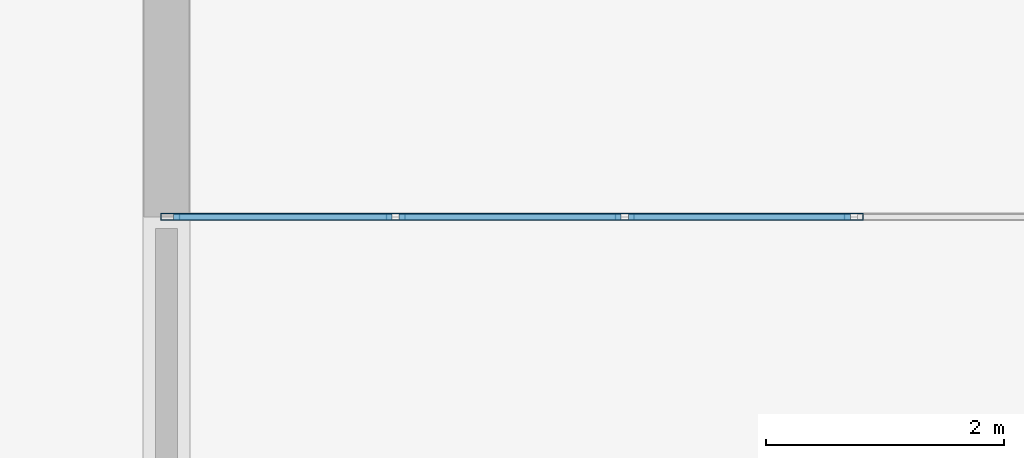
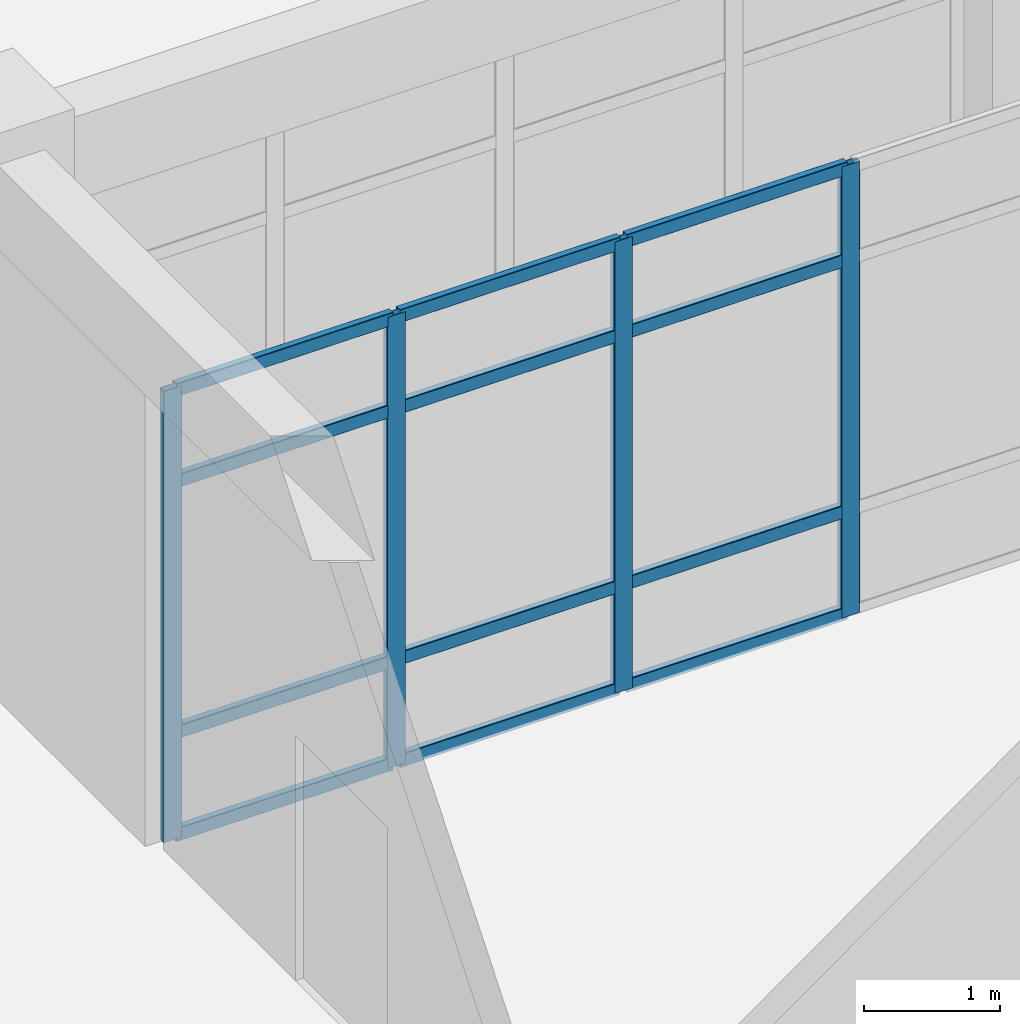
# One storey, part 36 of 120: 16 members, 1 element without a shape of its own.
"""IFC4 building model written with IfcOpenShell, lengths in metres."""

from ifc_helpers import new_model, si_unit, derived_unit, direction, frame, origin, origin_2d, place, context, subcontext, project, spatial, hollow_rectangle, extrude, material, layer, layer_set, material_profile, profile_set, type_object, element, aggregate, save


model = new_model("IFC4")

# Units and contexts
model_context = context("Model", 3, precision=1e-05, world=origin(), true_north=direction((0.0, 1.0)))
body_context = subcontext(model_context, "Body", "Model", "MODEL_VIEW")
ifc_project = project(units=[si_unit("LENGTHUNIT", "METRE"), si_unit("AREAUNIT", "SQUARE_METRE"), si_unit("VOLUMEUNIT", "CUBIC_METRE"), si_unit("PLANEANGLEUNIT", "RADIAN"), si_unit("MASSUNIT", "GRAM", prefix="KILO"), derived_unit("THERMALTRANSMITTANCEUNIT", [(si_unit("MASSUNIT", "GRAM", prefix="KILO"), 1), (si_unit("TIMEUNIT", "SECOND"), -3), (si_unit("THERMODYNAMICTEMPERATUREUNIT", "KELVIN"), -1)])], contexts=[model_context])

# Site, building, storey
site_placement = place(None, origin())
site = spatial("IfcSite", under=ifc_project, at=site_placement, CompositionType="ELEMENT")
building_placement = place(site_placement, origin())
building = spatial("IfcBuilding", under=site, at=building_placement, Name="Qinzheling Arcade Emporium", CompositionType="ELEMENT")
storey_placement = place(building_placement, frame((0.0, 0.0, 11.39990234375)))
storey = spatial("IfcBuildingStorey", under=building, at=storey_placement, Name="L03", CompositionType="ELEMENT", Elevation=11.39990234375)

# Curtain wall, members
ifc_material_1 = material(Name="Anodised aluminium and solar-control double glazing", Category="aluminium")
ifc_layer = layer(ifc_material_1, 0.159912109375, Name="Anodised aluminium and solar-control double glazing", Category="aluminium")
ifc_layer_set = layer_set([ifc_layer], Name="Anodised aluminium and solar-control double glazing")
curtain_wall_type = type_object("IfcCurtainWallType", Name="Food Hall Loggia Curtain Wall", PredefinedType="NOTDEFINED", material=ifc_layer_set)
curtain_wall_placement = place(storey_placement, origin())
curtain_wall = element("IfcCurtainWall", 1, at=curtain_wall_placement, inside=storey, type_object=curtain_wall_type, Name="Curtain Wall CW-L03-205", PredefinedType="NOTDEFINED")
ifc_material_2 = material(Name="Anodised aluminium 6063-T6", Category="aluminium")
ifc_material_profile_1 = material_profile(ifc_material_2, hollow_rectangle(XDim=0.06005859375, YDim=0.159912109375, WallThickness=0.00390625, InnerFilletRadius=0.00390625, OuterFilletRadius=0.008056640625, at=origin_2d()), Name="RHS 160x60x4", Category="aluminium")
ifc_profile_set_1 = profile_set([ifc_material_profile_1], Name="Anodised aluminium 6063-T6")
member_type_1 = type_object("IfcMemberType", Name="Curtain Wall Mullion RHS160x60", PredefinedType="MULLION", material=ifc_profile_set_1)
member_1_placement = place(storey_placement, frame((121.830078125, 31.0, 0.0), z_axis=(0.0, 0.0, 1.0), x_axis=(0.0, 1.0, 0.0)))
member_1 = element("IfcMember", 2, at=member_1_placement, type_object=member_type_1, Name="CW04 mullion 1", PredefinedType="MULLION", context=body_context, shape_type="SweptSolid", body=[
    extrude(hollow_rectangle(XDim=0.06005859375, YDim=0.159912109375, WallThickness=0.00390625, InnerFilletRadius=0.00390625, OuterFilletRadius=0.008056640625, at=origin_2d()), origin(), (0.0, 0.0, 1.0), 4.05517578125),
])
member_2_placement = place(storey_placement, frame((123.7294921875, 31.0, 0.0), z_axis=(0.0, 0.0, 1.0), x_axis=(0.0, 1.0, 0.0)))
member_2 = element("IfcMember", 3, at=member_2_placement, type_object=member_type_1, Name="CW04 mullion 2", PredefinedType="MULLION", context=body_context, shape_type="SweptSolid", body=[
    extrude(hollow_rectangle(XDim=0.06005859375, YDim=0.159912109375, WallThickness=0.00390625, InnerFilletRadius=0.00390625, OuterFilletRadius=0.008056640625, at=origin_2d()), origin(), (0.0, 0.0, 1.0), 4.05517578125),
])
member_3_placement = place(storey_placement, frame((125.658935546875, 31.0, 0.0), z_axis=(0.0, 0.0, 1.0), x_axis=(0.0, 1.0, 0.0)))
member_3 = element("IfcMember", 4, at=member_3_placement, type_object=member_type_1, Name="CW04 mullion 3", PredefinedType="MULLION", context=body_context, shape_type="SweptSolid", body=[
    extrude(hollow_rectangle(XDim=0.06005859375, YDim=0.159912109375, WallThickness=0.00390625, InnerFilletRadius=0.00390625, OuterFilletRadius=0.008056640625, at=origin_2d()), origin(), (0.0, 0.0, 1.0), 4.05517578125),
])
member_4_placement = place(storey_placement, frame((127.58837890625, 31.0, 0.0), z_axis=(0.0, 0.0, 1.0), x_axis=(0.0, 1.0, 0.0)))
member_4 = element("IfcMember", 5, at=member_4_placement, type_object=member_type_1, Name="CW04 mullion 4", PredefinedType="MULLION", context=body_context, shape_type="SweptSolid", body=[
    extrude(hollow_rectangle(XDim=0.06005859375, YDim=0.159912109375, WallThickness=0.00390625, InnerFilletRadius=0.00390625, OuterFilletRadius=0.008056640625, at=origin_2d()), origin(), (0.0, 0.0, 1.0), 4.05517578125),
])
ifc_material_profile_2 = material_profile(ifc_material_2, hollow_rectangle(XDim=0.06005859375, YDim=0.1201171875, WallThickness=0.00390625, InnerFilletRadius=0.00390625, OuterFilletRadius=0.008056640625, at=origin_2d()), Name="RHS 120x60x4", Category="aluminium")
ifc_profile_set_2 = profile_set([ifc_material_profile_2], Name="Anodised aluminium 6063-T6")
member_type_2 = type_object("IfcMemberType", Name="Curtain Wall Transom RHS120x60", PredefinedType="USERDEFINED", material=ifc_profile_set_2)
member_5_placement = place(storey_placement, frame((121.860107421875, 31.0, 0.030029296875), z_axis=(1.0, 0.0, 0.0), x_axis=(0.0, 1.0, 0.0)))
member_5 = element("IfcMember", 6, at=member_5_placement, type_object=member_type_2, Name="CW04 transom 1.1", ObjectType="TRANSOM", PredefinedType="USERDEFINED", context=body_context, shape_type="SweptSolid", body=[
    extrude(hollow_rectangle(XDim=0.06005859375, YDim=0.1201171875, WallThickness=0.00390625, InnerFilletRadius=0.00390625, OuterFilletRadius=0.008056640625, at=origin_2d()), origin(), (0.0, 0.0, 1.0), 1.83935546875),
])
member_6_placement = place(storey_placement, frame((121.860107421875, 31.0, 0.9501953125), z_axis=(1.0, 0.0, 0.0), x_axis=(0.0, 1.0, 0.0)))
member_6 = element("IfcMember", 7, at=member_6_placement, type_object=member_type_2, Name="CW04 transom 1.2", ObjectType="TRANSOM", PredefinedType="USERDEFINED", context=body_context, shape_type="SweptSolid", body=[
    extrude(hollow_rectangle(XDim=0.06005859375, YDim=0.1201171875, WallThickness=0.00390625, InnerFilletRadius=0.00390625, OuterFilletRadius=0.008056640625, at=origin_2d()), origin(), (0.0, 0.0, 1.0), 1.83935546875),
])
member_7_placement = place(storey_placement, frame((121.860107421875, 31.0, 3.205078125), z_axis=(1.0, 0.0, 0.0), x_axis=(0.0, 1.0, 0.0)))
member_7 = element("IfcMember", 8, at=member_7_placement, type_object=member_type_2, Name="CW04 transom 1.3", ObjectType="TRANSOM", PredefinedType="USERDEFINED", context=body_context, shape_type="SweptSolid", body=[
    extrude(hollow_rectangle(XDim=0.06005859375, YDim=0.1201171875, WallThickness=0.00390625, InnerFilletRadius=0.00390625, OuterFilletRadius=0.008056640625, at=origin_2d()), origin(), (0.0, 0.0, 1.0), 1.83935546875),
])
member_8_placement = place(storey_placement, frame((121.860107421875, 31.0, 4.025146484375), z_axis=(1.0, 0.0, 0.0), x_axis=(0.0, 1.0, 0.0)))
member_8 = element("IfcMember", 9, at=member_8_placement, type_object=member_type_2, Name="CW04 transom 1.4", ObjectType="TRANSOM", PredefinedType="USERDEFINED", context=body_context, shape_type="SweptSolid", body=[
    extrude(hollow_rectangle(XDim=0.06005859375, YDim=0.1201171875, WallThickness=0.00390625, InnerFilletRadius=0.00390625, OuterFilletRadius=0.008056640625, at=origin_2d()), origin(), (0.0, 0.0, 1.0), 1.83935546875),
])
member_9_placement = place(storey_placement, frame((123.759521484375, 31.0, 0.030029296875), z_axis=(1.0, 0.0, 0.0), x_axis=(0.0, 1.0, 0.0)))
member_9 = element("IfcMember", 10, at=member_9_placement, type_object=member_type_2, Name="CW04 transom 2.1", ObjectType="TRANSOM", PredefinedType="USERDEFINED", context=body_context, shape_type="SweptSolid", body=[
    extrude(hollow_rectangle(XDim=0.06005859375, YDim=0.1201171875, WallThickness=0.00390625, InnerFilletRadius=0.00390625, OuterFilletRadius=0.008056640625, at=origin_2d()), origin(), (0.0, 0.0, 1.0), 1.869384765625),
])
member_10_placement = place(storey_placement, frame((123.759521484375, 31.0, 0.9501953125), z_axis=(1.0, 0.0, 0.0), x_axis=(0.0, 1.0, 0.0)))
member_10 = element("IfcMember", 11, at=member_10_placement, type_object=member_type_2, Name="CW04 transom 2.2", ObjectType="TRANSOM", PredefinedType="USERDEFINED", context=body_context, shape_type="SweptSolid", body=[
    extrude(hollow_rectangle(XDim=0.06005859375, YDim=0.1201171875, WallThickness=0.00390625, InnerFilletRadius=0.00390625, OuterFilletRadius=0.008056640625, at=origin_2d()), origin(), (0.0, 0.0, 1.0), 1.869384765625),
])
member_11_placement = place(storey_placement, frame((123.759521484375, 31.0, 3.205078125), z_axis=(1.0, 0.0, 0.0), x_axis=(0.0, 1.0, 0.0)))
member_11 = element("IfcMember", 12, at=member_11_placement, type_object=member_type_2, Name="CW04 transom 2.3", ObjectType="TRANSOM", PredefinedType="USERDEFINED", context=body_context, shape_type="SweptSolid", body=[
    extrude(hollow_rectangle(XDim=0.06005859375, YDim=0.1201171875, WallThickness=0.00390625, InnerFilletRadius=0.00390625, OuterFilletRadius=0.008056640625, at=origin_2d()), origin(), (0.0, 0.0, 1.0), 1.869384765625),
])
member_12_placement = place(storey_placement, frame((123.759521484375, 31.0, 4.025146484375), z_axis=(1.0, 0.0, 0.0), x_axis=(0.0, 1.0, 0.0)))
member_12 = element("IfcMember", 13, at=member_12_placement, type_object=member_type_2, Name="CW04 transom 2.4", ObjectType="TRANSOM", PredefinedType="USERDEFINED", context=body_context, shape_type="SweptSolid", body=[
    extrude(hollow_rectangle(XDim=0.06005859375, YDim=0.1201171875, WallThickness=0.00390625, InnerFilletRadius=0.00390625, OuterFilletRadius=0.008056640625, at=origin_2d()), origin(), (0.0, 0.0, 1.0), 1.869384765625),
])
member_13_placement = place(storey_placement, frame((125.68896484375, 31.0, 0.030029296875), z_axis=(1.0, 0.0, 0.0), x_axis=(0.0, 1.0, 0.0)))
member_13 = element("IfcMember", 14, at=member_13_placement, type_object=member_type_2, Name="CW04 transom 3.1", ObjectType="TRANSOM", PredefinedType="USERDEFINED", context=body_context, shape_type="SweptSolid", body=[
    extrude(hollow_rectangle(XDim=0.06005859375, YDim=0.1201171875, WallThickness=0.00390625, InnerFilletRadius=0.00390625, OuterFilletRadius=0.008056640625, at=origin_2d()), origin(), (0.0, 0.0, 1.0), 1.86962890625),
])
member_14_placement = place(storey_placement, frame((125.68896484375, 31.0, 0.9501953125), z_axis=(1.0, 0.0, 0.0), x_axis=(0.0, 1.0, 0.0)))
member_14 = element("IfcMember", 15, at=member_14_placement, type_object=member_type_2, Name="CW04 transom 3.2", ObjectType="TRANSOM", PredefinedType="USERDEFINED", context=body_context, shape_type="SweptSolid", body=[
    extrude(hollow_rectangle(XDim=0.06005859375, YDim=0.1201171875, WallThickness=0.00390625, InnerFilletRadius=0.00390625, OuterFilletRadius=0.008056640625, at=origin_2d()), origin(), (0.0, 0.0, 1.0), 1.86962890625),
])
member_15_placement = place(storey_placement, frame((125.68896484375, 31.0, 3.205078125), z_axis=(1.0, 0.0, 0.0), x_axis=(0.0, 1.0, 0.0)))
member_15 = element("IfcMember", 16, at=member_15_placement, type_object=member_type_2, Name="CW04 transom 3.3", ObjectType="TRANSOM", PredefinedType="USERDEFINED", context=body_context, shape_type="SweptSolid", body=[
    extrude(hollow_rectangle(XDim=0.06005859375, YDim=0.1201171875, WallThickness=0.00390625, InnerFilletRadius=0.00390625, OuterFilletRadius=0.008056640625, at=origin_2d()), origin(), (0.0, 0.0, 1.0), 1.86962890625),
])
member_16_placement = place(storey_placement, frame((125.68896484375, 31.0, 4.025146484375), z_axis=(1.0, 0.0, 0.0), x_axis=(0.0, 1.0, 0.0)))
member_16 = element("IfcMember", 17, at=member_16_placement, type_object=member_type_2, Name="CW04 transom 3.4", ObjectType="TRANSOM", PredefinedType="USERDEFINED", context=body_context, shape_type="SweptSolid", body=[
    extrude(hollow_rectangle(XDim=0.06005859375, YDim=0.1201171875, WallThickness=0.00390625, InnerFilletRadius=0.00390625, OuterFilletRadius=0.008056640625, at=origin_2d()), origin(), (0.0, 0.0, 1.0), 1.86962890625),
])
aggregate(curtain_wall, [member_1, member_2, member_3, member_4, member_5, member_6, member_7, member_8, member_9, member_10, member_11, member_12, member_13, member_14, member_15, member_16])

save(model, "model.ifc")
